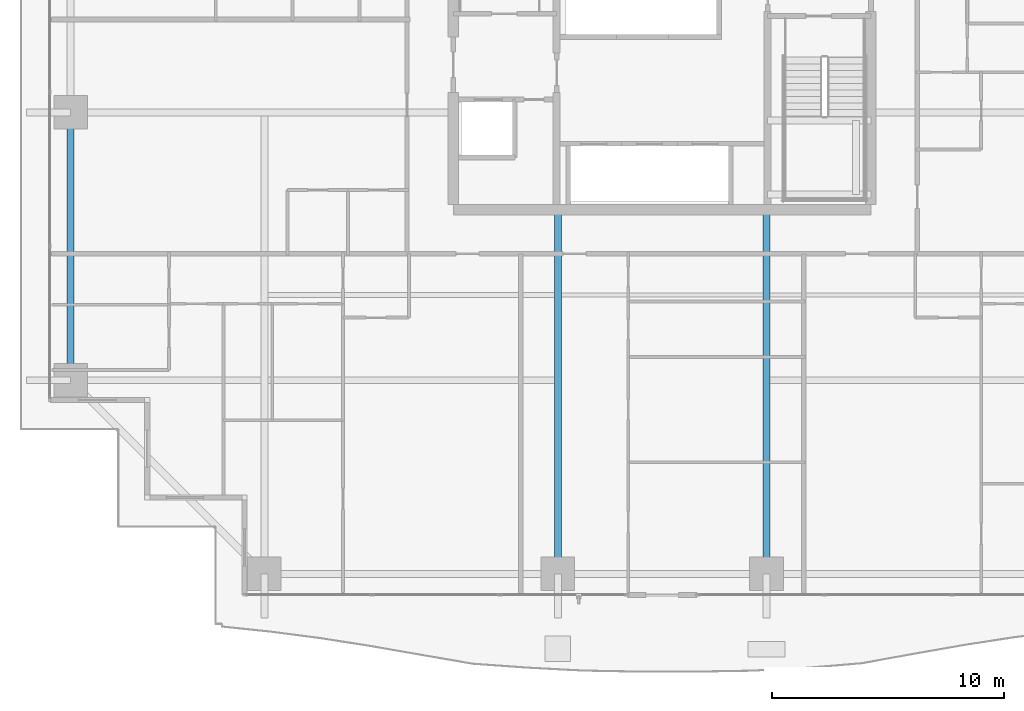
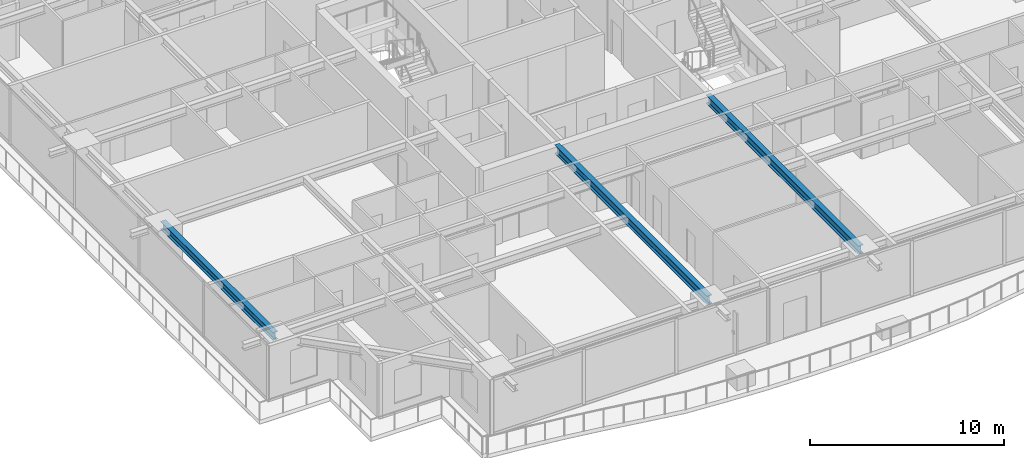
# One storey, part 6 of 39: 3 beams.
"""IFC4 building model written with IfcOpenShell, lengths in metres."""

from ifc_helpers import new_model, si_unit, direction, frame, origin, origin_2d, place, context, subcontext, project, spatial, i_section, extrude, source, transform, mapped, material, material_profile, profile_set, type_object, element, save


model = new_model("IFC4")

# Units and contexts
model_context = context("Model", 3, precision=1e-05, world=origin(), true_north=direction((0.0, 1.0)))
body_context = subcontext(model_context, "Body", "Model", "MODEL_VIEW")
ifc_project = project(units=[si_unit("LENGTHUNIT", "METRE"), si_unit("AREAUNIT", "SQUARE_METRE"), si_unit("VOLUMEUNIT", "CUBIC_METRE"), si_unit("PLANEANGLEUNIT", "RADIAN"), si_unit("MASSUNIT", "GRAM", prefix="KILO")], contexts=[model_context])

# Site, building, storey
site_placement = place(None, origin())
site = spatial("IfcSite", under=ifc_project, at=site_placement, CompositionType="ELEMENT")
building_placement = place(site_placement, origin())
building = spatial("IfcBuilding", under=site, at=building_placement, Name="Serunith Strait Residences", CompositionType="ELEMENT")
storey_placement = place(building_placement, frame((0.0, 0.0, 64.199951171875)))
storey = spatial("IfcBuildingStorey", under=building, at=storey_placement, Name="L15", CompositionType="ELEMENT", Elevation=64.199951171875)

# Beams
ifc_material = material(Name="Steel S355J2", Category="steel")
ifc_material_profile_1 = material_profile(ifc_material, i_section(OverallWidth=0.300048828125, OverallDepth=0.550048828125, WebThickness=0.014892578125, FlangeThickness=0.029052734375, FilletRadius=0.027099609375, at=origin_2d()), Name="HEB 550")
ifc_profile_set_1 = profile_set([ifc_material_profile_1], Name="Steel S355J2")
beam_type_1 = type_object("IfcBeamType", Name="BM-HEB550", PredefinedType="BEAM", material=ifc_profile_set_1)
shared_shape_1 = source(origin(), body_context, "Body", "SweptSolid", [
    extrude(i_section(OverallWidth=0.300048828125, OverallDepth=0.550048828125, WebThickness=0.014892578125, FlangeThickness=0.029052734375, FilletRadius=0.027099609375, at=origin_2d()), origin(), (0.0, 0.0, 1.0), 15.699951171875),
])
for number, where, z_axis, x_axis, name in (
    (1, (27.89990234375, 16.800048828125, 3.212158203125), (0.0, -1.0, 0.0), (1.0, 0.0, 0.0), "L15 Primary Floor Girder TC-S2"),
    (2, (36.89990234375, 16.800048828125, 3.212158203125), (0.0, -1.0, 0.0), (1.0, 0.0, 0.0), "L15 Primary Floor Girder TC-S3"),
):
    element("IfcBeam", number, at=place(storey_placement, frame(where, z_axis=z_axis, x_axis=x_axis)), inside=storey, type_object=beam_type_1, Name=name, PredefinedType="BEAM", context=body_context, shape_type="MappedRepresentation", body=[
        mapped(shared_shape_1, transform((0.0, 0.0, 0.0), scale=1.0)),
    ])
ifc_material_profile_2 = material_profile(ifc_material, i_section(OverallWidth=0.300048828125, OverallDepth=0.5, WebThickness=0.014404296875, FlangeThickness=0.028076171875, FilletRadius=0.027099609375, at=origin_2d()), Name="HEB 500")
ifc_profile_set_2 = profile_set([ifc_material_profile_2], Name="Steel S355J2")
beam_type_2 = type_object("IfcBeamType", Name="BM-HEB500", PredefinedType="BEAM", material=ifc_profile_set_2)
shared_shape_2 = source(origin(), body_context, "Body", "SweptSolid", [
    extrude(i_section(OverallWidth=0.300048828125, OverallDepth=0.5, WebThickness=0.014404296875, FlangeThickness=0.028076171875, FilletRadius=0.027099609375, at=origin_2d()), origin(), (0.0, 0.0, 1.0), 11.550048828125),
])
beam_placement = place(storey_placement, frame((6.89990234375, 21.0, 3.237060546875), z_axis=(0.0, -1.0, 0.0), x_axis=(1.0, 0.0, 0.0)))
element("IfcBeam", 3, at=beam_placement, inside=storey, type_object=beam_type_2, Name="L15 Perimeter Ring Beam 15", PredefinedType="BEAM", context=body_context, shape_type="MappedRepresentation", body=[
    mapped(shared_shape_2, transform((0.0, 0.0, 0.0), scale=1.0)),
])

save(model, "model.ifc")
